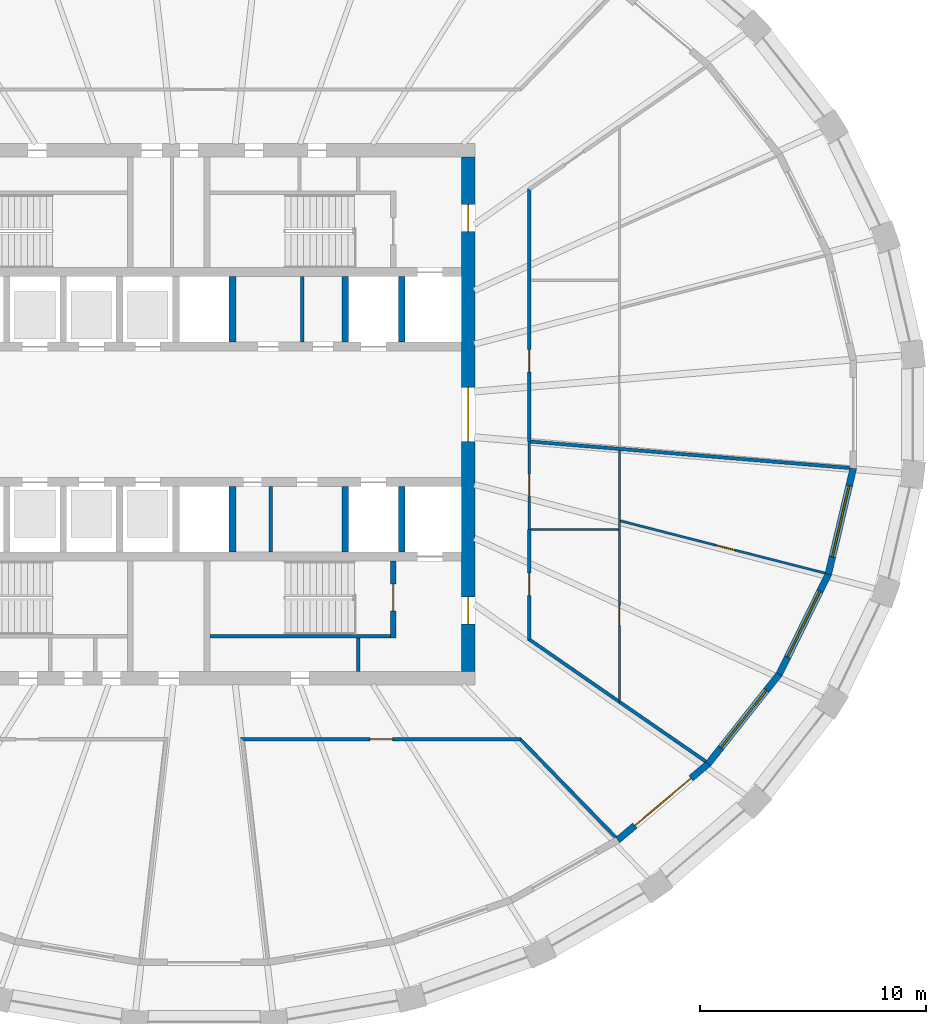
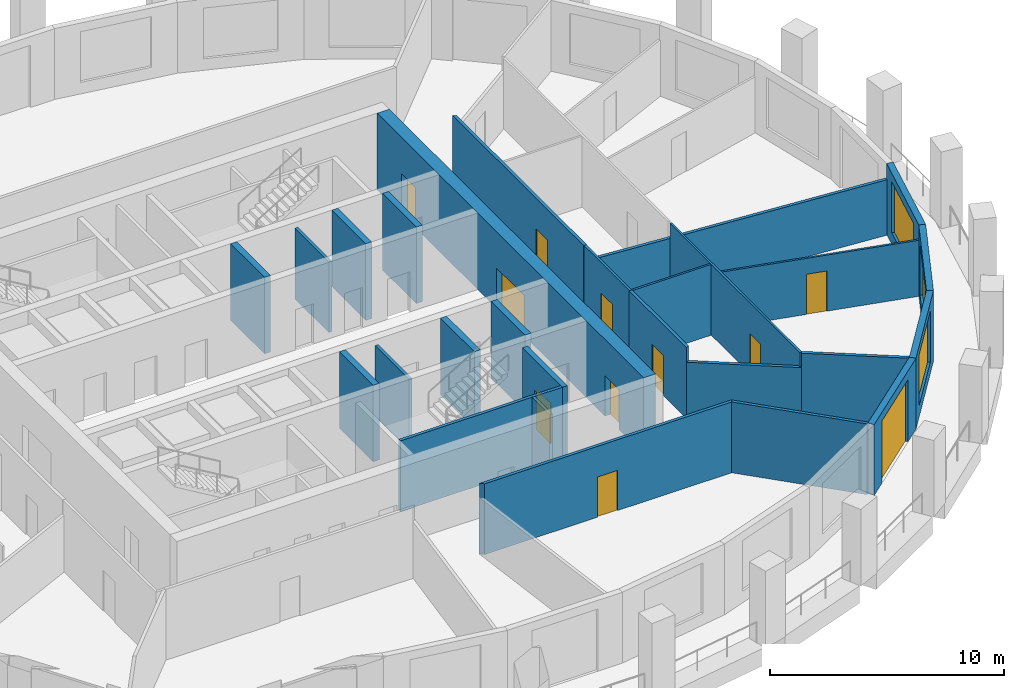
# One storey, part 5 of 11: 27 walls, 11 doors, 3 windows, 14 openings.
"""IFC4 building model written with IfcOpenShell, lengths in metres."""

import ifcopenshell
import ifcopenshell.guid

model = None  # the IFC model being written
_history = None  # IfcOwnerHistory: only IFC2X3 demands one
_inside = {}  # id of a spatial element -> (the spatial element, [elements in it])
_under = {}  # id of a project, library or spatial element -> (it, [spatial elements below it])
_declared = {}  # id of a project -> (the project, [libraries it declares])
_typed = {}  # id of a type object -> (the type object, [elements of that type])
_made_of = {}  # id of a material, layer set ... -> (it, [elements and type objects made of it])


def new_model(schema):
    """Start an empty IFC model of exactly this schema.

    Asked for "IFC4X3", IfcOpenShell would pick the latest addendum, in which some entities
    have other attributes; the version numbers below select the first issue.
    IFC2X3 requires an IfcOwnerHistory on every rooted entity: one is made here for all.
    """
    global model, _history
    if schema == "IFC4X3":
        model = ifcopenshell.file(schema_version=(4, 3, 0, 0))
    else:
        model = ifcopenshell.file(schema=schema)
    _inside.clear()
    _under.clear()
    _declared.clear()
    _typed.clear()
    _made_of.clear()
    _history = None
    if model.schema == "IFC2X3":
        org = make("IfcOrganization", Name="unknown")
        user = make(
            "IfcPersonAndOrganization",
            ThePerson=make("IfcPerson", FamilyName="unknown"),
            TheOrganization=org,
        )
        app = make(
            "IfcApplication",
            ApplicationDeveloper=org,
            Version="unknown",
            ApplicationFullName="unknown",
            ApplicationIdentifier="unknown",
        )
        _history = make(
            "IfcOwnerHistory",
            OwningUser=user,
            OwningApplication=app,
            ChangeAction="ADDED",
            CreationDate=0,
        )
    return model


def make(cls, **values):
    """One entity of the class cls with the attributes given. An attribute that is None is left unset."""
    return model.create_entity(
        cls, **{name: value for name, value in values.items() if value is not None}
    )


def rooted(cls, **values):
    """An entity with a GlobalId (a new one), such as an element, a storey or a relation."""
    return make(cls, GlobalId=ifcopenshell.guid.new(), OwnerHistory=_history, **values)


def si_unit(unit_type, name, prefix=None):
    """IfcSIUnit, for example si_unit("LENGTHUNIT", "METRE", prefix="MILLI")."""
    return make("IfcSIUnit", UnitType=unit_type, Prefix=prefix, Name=name)


def assignment(units):
    """IfcUnitAssignment: the units of a project."""
    return None if units is None else make("IfcUnitAssignment", Units=units)


def point(xyz):
    """IfcCartesianPoint."""
    return None if xyz is None else make("IfcCartesianPoint", Coordinates=xyz)


def direction(xyz):
    """IfcDirection."""
    return None if xyz is None else make("IfcDirection", DirectionRatios=xyz)


def frame(location, z_axis=None, x_axis=None):
    """IfcAxis2Placement3D, a coordinate frame: its origin and axes. An axis left out is left unset."""
    return make(
        "IfcAxis2Placement3D",
        Location=point(location),
        Axis=direction(z_axis),
        RefDirection=direction(x_axis),
    )


def frame_2d(location, x_axis=None):
    """IfcAxis2Placement2D, a coordinate frame in the plane: its origin and x axis."""
    return make(
        "IfcAxis2Placement2D", Location=point(location), RefDirection=direction(x_axis)
    )


def origin():
    """The frame at (0, 0, 0) with its axes left unset."""
    return frame((0.0, 0.0, 0.0))


def place(relative_to, where):
    """IfcLocalPlacement: puts the frame where relative to a parent placement (None: the world)."""
    return make(
        "IfcLocalPlacement", PlacementRelTo=relative_to, RelativePlacement=where
    )


def context(
    kind, dimensions, precision=None, world=None, true_north=None, identifier=None
):
    """IfcGeometricRepresentationContext, for example the 3D "Model" context."""
    return make(
        "IfcGeometricRepresentationContext",
        ContextIdentifier=identifier,
        ContextType=kind,
        CoordinateSpaceDimension=dimensions,
        Precision=precision,
        WorldCoordinateSystem=world,
        TrueNorth=true_north,
    )


def subcontext(parent, identifier, kind, view, scale=None):
    """IfcGeometricRepresentationSubContext, for example "Body" below "Model"."""
    return make(
        "IfcGeometricRepresentationSubContext",
        ContextIdentifier=identifier,
        ContextType=kind,
        ParentContext=parent,
        TargetScale=scale,
        TargetView=view,
    )


def project(units=None, contexts=None):
    """IfcProject with its units and contexts."""
    return rooted(
        "IfcProject",
        Name="project",
        RepresentationContexts=contexts,
        UnitsInContext=assignment(units),
    )


def spatial(cls, under=None, at=None, **own):
    """A site, building, storey or space (cls), placed at a placement, below another one or the project."""
    s = rooted(cls, ObjectPlacement=at, **own)
    if under is not None:
        _under.setdefault(under.id(), (under, []))[1].append(s)
    return s


def polyline(points):
    """IfcPolyline through the points."""
    return make("IfcPolyline", Points=[point(p) for p in points])


def profile(cls, at=None, kind="AREA", **sizes):
    """A parametric profile (cls). Its sizes go by their IFC names, for example OverallWidth=200.0."""
    return make(cls, ProfileType=kind, Position=at, **sizes)


def rectangle(**sizes):
    """IfcRectangleProfileDef."""
    return profile("IfcRectangleProfileDef", **sizes)


def outline(outer, holes=None, kind="AREA"):
    """IfcArbitraryClosedProfileDef: a profile drawn as a closed curve; with holes, ...WithVoids."""
    if holes is None:
        return make("IfcArbitraryClosedProfileDef", ProfileType=kind, OuterCurve=outer)
    return make(
        "IfcArbitraryProfileDefWithVoids",
        ProfileType=kind,
        OuterCurve=outer,
        InnerCurves=holes,
    )


def extrude(swept, where, along, depth):
    """IfcExtrudedAreaSolid: the profile swept, set in the frame where, extruded along a direction by depth."""
    return make(
        "IfcExtrudedAreaSolid",
        SweptArea=swept,
        Position=where,
        ExtrudedDirection=direction(along),
        Depth=depth,
    )


def shape(context_of_items, identifier, shape_type, items):
    """IfcShapeRepresentation: the items that make up one representation, for example the "Body"."""
    return make(
        "IfcShapeRepresentation",
        ContextOfItems=context_of_items,
        RepresentationIdentifier=identifier,
        RepresentationType=shape_type,
        Items=items,
    )


def material(Name=None, Category=None):
    """IfcMaterial."""
    return make("IfcMaterial", Name=Name, Category=Category)


def layer(
    of_material, thickness, ventilated=None, Name=None, Category=None, Priority=None
):
    """IfcMaterialLayer: one layer of a wall or slab, of a material (None: an air gap)."""
    return make(
        "IfcMaterialLayer",
        Material=of_material,
        LayerThickness=thickness,
        IsVentilated=ventilated,
        Name=Name,
        Category=Category,
        Priority=Priority,
    )


def layer_set(layers, Name=None):
    """IfcMaterialLayerSet."""
    return make("IfcMaterialLayerSet", MaterialLayers=layers, LayerSetName=Name)


def made_of(thing, what):
    """Note that an element or type object is made of a material, layer set ...; save() writes the relation."""
    if what is not None:
        _made_of.setdefault(what.id(), (what, []))[1].append(thing)
    return thing


def type_object(cls, material=None, **own):
    """A type object (cls), such as IfcWallType, which elements share."""
    return made_of(rooted(cls, **own), material)


def element(
    cls,
    number,
    at=None,
    inside=None,
    cuts=None,
    type_object=None,
    material=None,
    context=None,
    identifier="Body",
    shape_type=None,
    held_by="IfcProductDefinitionShape",
    body=None,
    shapes=None,
    **own,
):
    """One element of the class cls, such as IfcWall. Its Tag is "e" and its number.

    at: its placement. inside: the storey or other place that contains it. cuts: it is an
    opening in that element (IfcRelVoidsElement). A single representation is given by context,
    identifier, shape_type and body (its items); several are given by shapes. held_by: the class
    of the entity that holds the representations. save() writes the other relations.
    """
    e = rooted(cls, Tag="e%d" % number, ObjectPlacement=at, **own)
    if body is not None:
        shapes = [shape(context, identifier, shape_type, body)]
    if shapes is not None:
        e.Representation = make(held_by, Representations=shapes)
    if inside is not None:
        _inside.setdefault(inside.id(), (inside, []))[1].append(e)
    if cuts is not None:
        rooted(
            "IfcRelVoidsElement", RelatingBuildingElement=cuts, RelatedOpeningElement=e
        )
    if type_object is not None:
        _typed.setdefault(type_object.id(), (type_object, []))[1].append(e)
    return made_of(e, material)


def fill(opening, filler):
    """IfcRelFillsElement: the door or window that sits in an opening."""
    return rooted(
        "IfcRelFillsElement",
        RelatingOpeningElement=opening,
        RelatedBuildingElement=filler,
    )


def aggregate(whole, parts):
    """IfcRelAggregates: a whole, such as a stair, and the parts it consists of."""
    return rooted("IfcRelAggregates", RelatingObject=whole, RelatedObjects=parts)


def save(model, path):
    """Write the relations noted so far, then the file.

    IfcRelAggregates (storeys below a building ...), IfcRelContainedInSpatialStructure (elements
    in a storey), IfcRelDefinesByType, IfcRelAssociatesMaterial and IfcRelDeclares: one each for
    every whole, place, type object, material and project.
    """
    for whole, parts in _under.values():
        aggregate(whole, parts)
    for where, things in _inside.values():
        rooted(
            "IfcRelContainedInSpatialStructure",
            RelatedElements=things,
            RelatingStructure=where,
        )
    for kind, things in _typed.values():
        rooted("IfcRelDefinesByType", RelatedObjects=things, RelatingType=kind)
    for what, things in _made_of.values():
        rooted("IfcRelAssociatesMaterial", RelatedObjects=things, RelatingMaterial=what)
    for by, libraries in _declared.values():
        rooted("IfcRelDeclares", RelatingContext=by, RelatedDefinitions=libraries)
    model.write(path)


model = new_model("IFC4")

# Units and contexts
model_context = context("Model", 3, precision=1e-05, world=origin(), true_north=direction((0.0, 1.0)))
body_context = subcontext(model_context, "Body", "Model", "MODEL_VIEW")
ifc_project = project(units=[si_unit("LENGTHUNIT", "METRE"), si_unit("AREAUNIT", "SQUARE_METRE"), si_unit("VOLUMEUNIT", "CUBIC_METRE"), si_unit("PLANEANGLEUNIT", "RADIAN"), si_unit("MASSUNIT", "GRAM", prefix="KILO")], contexts=[model_context])

# Site, building, storey
site_placement = place(None, origin())
site = spatial("IfcSite", under=ifc_project, at=site_placement, CompositionType="ELEMENT")
building_placement = place(site_placement, origin())
building = spatial("IfcBuilding", under=site, at=building_placement, Name="Halqa Exchange Tower", CompositionType="ELEMENT")
storey_placement = place(building_placement, frame((0.0, 0.0, 230.89990234375)))
storey = spatial("IfcBuildingStorey", under=building, at=storey_placement, Name="L53", CompositionType="ELEMENT", Elevation=230.89990234375)

# Wall, opening, door
ifc_material_1 = material(Name="Fire-rated gypsum board")
ifc_layer_1 = layer(ifc_material_1, 0.14990234375)
ifc_layer_set_1 = layer_set([ifc_layer_1], Name="Fire-rated gypsum board")
wall_type_1 = type_object("IfcWallType", Name="Fire partition EI 60 150", PredefinedType="PARTITIONING", material=ifc_layer_set_1)
wall_1_placement = place(storey_placement, frame((14.041748046875, -14.39990234375, 0.0), z_axis=(0.0, 0.0, 1.0), x_axis=(-1.0, 0.0, 0.0)))
wall_1 = element("IfcWall", 1, at=wall_1_placement, inside=storey, type_object=wall_type_1, Name="L53-PWL-014", PredefinedType="PARTITIONING", context=body_context, shape_type="SweptSolid", body=[
    extrude(outline(polyline([(12.446044921875, -0.074951171875), (12.446044921875, -0.074951171875), (12.277587890625, 0.074951171875), (10.53271484375, 0.074951171875), (8.787841796875, 0.074951171875), (7.04296875, 0.074951171875), (5.298095703125, 0.074951171875), (3.55322265625, 0.074951171875), (1.808349609375, 0.074951171875), (0.063232421875, 0.074951171875), (0.0, -0.074951171875), (1.778076171875, -0.074951171875), (3.55615234375, -0.074951171875), (5.333984375, -0.074951171875), (7.112060546875, -0.074951171875), (8.89013671875, -0.074951171875), (10.66796875, -0.074951171875), (12.446044921875, -0.074951171875)])), origin(), (0.0, 0.0, 1.0), 3.7001953125),
])
opening_1_placement = place(wall_1_placement, frame((5.69677734375, 0.0, 0.0)))
opening_1 = element("IfcOpeningElement", 2, at=opening_1_placement, cuts=wall_1, Name="Opening 16-06", PredefinedType="OPENING", context=body_context, shape_type="SweptSolid", body=[
    extrude(rectangle(XDim=1.0, YDim=2.10009765625, at=frame_2d((0.5, 1.050048828125))), frame((0.0, 0.0869140625, 0.0), z_axis=(0.0, -1.0, 0.0), x_axis=(1.0, 0.0, 0.0)), (0.0, 0.0, 1.0), 0.173828125),
])
ifc_material_2 = material(Name="Steel fire door leaf", Category="steel")
door_type_1 = type_object("IfcDoorType", Name="Fire door FD30S 1000 x 2100", OperationType="SINGLE_SWING_LEFT", PredefinedType="DOOR", material=ifc_material_2)
door_1_placement = place(opening_1_placement, origin())
door_1 = element("IfcDoor", 3, at=door_1_placement, inside=storey, type_object=door_type_1, Name="L53-IDR-006", OperationType="SINGLE_SWING_LEFT", OverallHeight=2.10009765625, OverallWidth=1.0, PredefinedType="DOOR", context=body_context, shape_type="SweptSolid", body=[
    extrude(rectangle(XDim=1.0, YDim=2.10009765625, at=frame_2d((0.5, 1.050048828125))), frame((0.0, 0.02490234375, 0.0), z_axis=(0.0, -1.0, 0.0), x_axis=(1.0, 0.0, 0.0)), (0.0, 0.0, 1.0), 0.050048828125),
])
fill(opening_1, door_1)

# Wall
wall_2_placement = place(storey_placement, frame((14.36767578125, -9.947509765625, 0.0), z_axis=(0.0, 0.0, 1.0), x_axis=(0.822094305235, -0.569351344339, 0.0)))
element("IfcWall", 4, at=wall_2_placement, inside=storey, type_object=wall_type_1, Name="L53-PWL-016", PredefinedType="PARTITIONING", context=body_context, shape_type="SweptSolid", body=[
    extrude(outline(polyline([(4.93896484375, -0.074951171875), (4.93896484375, 0.035888671875), (4.858154296875, -0.02001953125), (4.792236328125, 0.074951171875), (3.220947265625, 0.074951171875), (1.64990234375, 0.074951171875), (0.07861328125, 0.074951171875), (0.039306640625, 0.0), (0.000244140625, -0.074951171875), (1.646484375, -0.074951171875), (3.292724609375, -0.074951171875), (4.93896484375, -0.074951171875)])), origin(), (0.0, 0.0, 1.0), 2.947021484375),
])

# Wall, opening, door
wall_3_placement = place(storey_placement, frame((14.39990234375, -5.10009765625, 0.0), z_axis=(0.0, 0.0, 1.0), x_axis=(0.0, -1.0, 0.0)))
wall_3 = element("IfcWall", 5, at=wall_3_placement, inside=storey, type_object=wall_type_1, Name="L53-PWL-017", PredefinedType="PARTITIONING", context=body_context, shape_type="SweptSolid", body=[
    extrude(outline(polyline([(4.9091796875, -0.074951171875), (4.9091796875, -0.074951171875), (4.830810546875, 0.074951171875), (3.220458984375, 0.074951171875), (1.6103515625, 0.074951171875), (0.0, 0.074951171875), (0.0, -0.074951171875), (1.636474609375, -0.074951171875), (3.272705078125, -0.074951171875), (4.9091796875, -0.074951171875)])), origin(), (0.0, 0.0, 1.0), 3.7001953125),
])
opening_2_placement = place(wall_3_placement, frame((1.93505859375, 0.0, 0.0)))
opening_2 = element("IfcOpeningElement", 6, at=opening_2_placement, cuts=wall_3, Name="Opening 16-08", PredefinedType="OPENING", context=body_context, shape_type="SweptSolid", body=[
    extrude(rectangle(XDim=1.0, YDim=2.10009765625, at=frame_2d((0.5, 1.050048828125))), frame((0.0, 0.0869140625, 0.0), z_axis=(0.0, -1.0, 0.0), x_axis=(1.0, 0.0, 0.0)), (0.0, 0.0, 1.0), 0.173828125),
])
door_2_placement = place(opening_2_placement, origin())
door_2 = element("IfcDoor", 7, at=door_2_placement, inside=storey, type_object=door_type_1, Name="L53-IDR-008", OperationType="SINGLE_SWING_RIGHT", OverallHeight=2.10009765625, OverallWidth=1.0, PredefinedType="DOOR", context=body_context, shape_type="SweptSolid", body=[
    extrude(rectangle(XDim=1.0, YDim=2.10009765625, at=frame_2d((0.5, 1.050048828125))), frame((0.0, 0.02490234375, 0.0), z_axis=(0.0, -1.0, 0.0), x_axis=(1.0, 0.0, 0.0)), (0.0, 0.0, 1.0), 0.050048828125),
])
fill(opening_2, door_2)

wall_4_placement = place(storey_placement, frame((14.39990234375, -1.199951171875, 0.0), z_axis=(0.0, 0.0, 1.0), x_axis=(0.0, 1.0, 0.0)))
wall_4 = element("IfcWall", 8, at=wall_4_placement, inside=storey, type_object=wall_type_1, Name="L53-PWL-019", PredefinedType="PARTITIONING", context=body_context, shape_type="SweptSolid", body=[
    extrude(outline(polyline([(0.0, -0.074951171875), (1.855224609375, -0.074951171875), (3.710205078125, -0.074951171875), (5.5654296875, -0.074951171875), (7.42041015625, -0.074951171875), (9.275634765625, -0.074951171875), (11.130859375, -0.074951171875), (11.209228515625, 0.074951171875), (11.209228515625, 0.074951171875), (9.341064453125, 0.074951171875), (7.472900390625, 0.074951171875), (5.6044921875, 0.074951171875), (3.736328125, 0.074951171875), (1.8681640625, 0.074951171875), (0.0, 0.074951171875), (0.0, -0.074951171875)])), origin(), (0.0, 0.0, 1.0), 3.7001953125),
])
opening_3_placement = place(wall_4_placement, frame((3.070068359375, 0.0, 0.0)))
opening_3 = element("IfcOpeningElement", 9, at=opening_3_placement, cuts=wall_4, Name="Opening 16-10", PredefinedType="OPENING", context=body_context, shape_type="SweptSolid", body=[
    extrude(rectangle(XDim=1.0, YDim=2.10009765625, at=frame_2d((0.5, 1.050048828125))), frame((0.0, 0.0869140625, 0.0), z_axis=(0.0, -1.0, 0.0), x_axis=(1.0, 0.0, 0.0)), (0.0, 0.0, 1.0), 0.173828125),
])
door_3_placement = place(opening_3_placement, frame((1.0, 0.0, 0.0), z_axis=(0.0, 0.0, 1.0), x_axis=(-1.0, 0.0, 0.0)))
door_3 = element("IfcDoor", 10, at=door_3_placement, inside=storey, type_object=door_type_1, Name="L53-IDR-010", OperationType="SINGLE_SWING_RIGHT", OverallHeight=2.10009765625, OverallWidth=1.0, PredefinedType="DOOR", context=body_context, shape_type="SweptSolid", body=[
    extrude(rectangle(XDim=1.0, YDim=2.10009765625, at=frame_2d((0.5, 1.050048828125))), frame((0.0, 0.02490234375, 0.0), z_axis=(0.0, -1.0, 0.0), x_axis=(1.0, 0.0, 0.0)), (0.0, 0.0, 1.0), 0.050048828125),
])
fill(opening_3, door_3)

# Walls
wall_5_placement = place(storey_placement, frame((14.46630859375, -1.20556640625, 0.0), z_axis=(0.0, 0.0, 1.0), x_axis=(0.996598124583, -0.082414671491, 0.0)))
element("IfcWall", 11, at=wall_5_placement, inside=storey, type_object=wall_type_1, Name="L53-PWL-020", PredefinedType="PARTITIONING", context=body_context, shape_type="SweptSolid", body=[
    extrude(outline(polyline([(0.0, -0.074951171875), (1.333740234375, -0.074951171875), (2.667236328125, -0.074951171875), (4.0009765625, -0.074951171875), (4.00341796875, -0.07470703125), (4.00341796875, -0.074951171875), (5.700439453125, -0.074951171875), (7.397216796875, -0.074951171875), (9.09423828125, -0.074951171875), (10.791259765625, -0.074951171875), (12.488037109375, -0.074951171875), (14.18505859375, -0.074951171875), (14.189697265625, -0.0439453125), (14.189697265625, 0.074951171875), (12.47509765625, 0.074951171875), (10.7607421875, 0.074951171875), (9.046142578125, 0.074951171875), (7.33154296875, 0.074951171875), (5.6171875, 0.074951171875), (3.902587890625, 0.074951171875), (3.890869140625, 0.073974609375), (3.890869140625, 0.074951171875), (1.946533203125, 0.074951171875), (0.00244140625, 0.074951171875), (0.00830078125, 0.00634765625), (0.0, 0.005615234375), (0.0, -0.074951171875)])), origin(), (0.0, 0.0, 1.0), 2.900146484375),
])
wall_6_placement = place(storey_placement, frame((18.242431640625, -18.746826171875, 0.0), z_axis=(0.0, 0.0, 1.0), x_axis=(-0.697616683155, 0.716471188105, 0.0)))
element("IfcWall", 12, at=wall_6_placement, inside=storey, type_object=wall_type_1, Name="L53-PWL-022", PredefinedType="PARTITIONING", context=body_context, shape_type="SweptSolid", body=[
    extrude(outline(polyline([(0.0, -0.074951171875), (1.524658203125, -0.074951171875), (3.04931640625, -0.074951171875), (4.573974609375, -0.074951171875), (6.0986328125, -0.074951171875), (6.06689453125, 0.0), (6.035400390625, 0.074951171875), (4.532958984375, 0.074951171875), (3.030517578125, 0.074951171875), (1.52783203125, 0.074951171875), (0.025390625, 0.074951171875), (0.005126953125, -0.002197265625), (0.0, -0.07177734375), (0.0, -0.074951171875)])), origin(), (0.0, 0.0, 1.0), 3.7001953125),
])
wall_7_placement = place(storey_placement, frame((18.42822265625, -12.759521484375, 0.0), z_axis=(0.0, 0.0, 1.0), x_axis=(0.822939262801, -0.568129360041, 0.0)))
element("IfcWall", 13, at=wall_7_placement, inside=storey, type_object=wall_type_1, Name="L53-PWL-023", PredefinedType="PARTITIONING", context=body_context, shape_type="SweptSolid", body=[
    extrude(outline(polyline([(0.0, -0.074951171875), (1.531494140625, -0.074951171875), (3.062744140625, -0.074951171875), (4.59423828125, -0.074951171875), (4.61474609375, 0.00048828125), (4.619140625, 0.06787109375), (4.619140625, 0.074951171875), (3.079345703125, 0.074951171875), (1.539794921875, 0.074951171875), (0.0, 0.074951171875), (0.0, 0.038330078125), (0.001220703125, 0.03662109375), (0.0, 0.035888671875), (0.0, -0.074951171875)])), origin(), (0.0, 0.0, 1.0), 3.7001953125),
])

# Wall, opening, door
ifc_material_3 = material(Name="Fire-rated glazing", Category="glass")
ifc_layer_2 = layer(ifc_material_3, 0.1201171875)
ifc_layer_set_2 = layer_set([ifc_layer_2], Name="Fire-rated glazing")
wall_type_2 = type_object("IfcWallType", Name="Glazed fire partition EI 60 120", PredefinedType="PARTITIONING", material=ifc_layer_set_2)
wall_8_placement = place(storey_placement, frame((14.39990234375, -1.199951171875, 0.0), z_axis=(0.0, 0.0, 1.0), x_axis=(0.0, -1.0, 0.0)))
wall_8 = element("IfcWall", 14, at=wall_8_placement, inside=storey, type_object=wall_type_2, Name="L53-PWL-018", PredefinedType="PARTITIONING", context=body_context, shape_type="SweptSolid", body=[
    extrude(rectangle(XDim=3.900146484375, YDim=0.1201171875, at=frame_2d((1.9501953125, 0.0))), origin(), (0.0, 0.0, 1.0), 3.7001953125),
])
opening_4_placement = place(wall_8_placement, frame((1.449951171875, 0.0, 0.0)))
opening_4 = element("IfcOpeningElement", 15, at=opening_4_placement, cuts=wall_8, Name="Opening 16-07", PredefinedType="OPENING", context=body_context, shape_type="SweptSolid", body=[
    extrude(rectangle(XDim=1.0, YDim=2.10009765625, at=frame_2d((0.5, 1.050048828125))), frame((0.0, 0.072021484375, 0.0), z_axis=(0.0, -1.0, 0.0), x_axis=(1.0, 0.0, 0.0)), (0.0, 0.0, 1.0), 0.14404296875),
])
door_4_placement = place(opening_4_placement, origin())
door_4 = element("IfcDoor", 16, at=door_4_placement, inside=storey, type_object=door_type_1, Name="L53-IDR-007", OperationType="SINGLE_SWING_LEFT", OverallHeight=2.10009765625, OverallWidth=1.0, PredefinedType="DOOR", context=body_context, shape_type="SweptSolid", body=[
    extrude(rectangle(XDim=1.0, YDim=2.10009765625, at=frame_2d((0.5, 1.050048828125))), frame((0.0, 0.02490234375, 0.0), z_axis=(0.0, -1.0, 0.0), x_axis=(1.0, 0.0, 0.0)), (0.0, 0.0, 1.0), 0.050048828125),
])
fill(opening_4, door_4)

ifc_material_4 = material(Name="Gypsum board")
ifc_layer_3 = layer(ifc_material_4, 0.10009765625)
ifc_layer_set_3 = layer_set([ifc_layer_3], Name="Gypsum board")
wall_type_3 = type_object("IfcWallType", Name="Partition 100 gypsum", PredefinedType="PARTITIONING", material=ifc_layer_set_3)
wall_9_placement = place(storey_placement, frame((18.39990234375, -12.72998046875, 0.0), z_axis=(0.0, 0.0, 1.0), x_axis=(0.0, 1.0, 0.0)))
wall_9 = element("IfcWall", 17, at=wall_9_placement, inside=storey, type_object=wall_type_3, Name="L53-PWL-024", PredefinedType="PARTITIONING", context=body_context, shape_type="SweptSolid", body=[
    extrude(rectangle(XDim=11.119873046875, YDim=0.10009765625, at=frame_2d((5.56005859375, 0.0))), origin(), (0.0, 0.0, 1.0), 3.7001953125),
])
opening_5_placement = place(wall_9_placement, frame((3.364990234375, 0.0, 0.0)))
opening_5 = element("IfcOpeningElement", 18, at=opening_5_placement, cuts=wall_9, Name="Opening 16-12", PredefinedType="OPENING", context=body_context, shape_type="SweptSolid", body=[
    extrude(rectangle(XDim=0.89990234375, YDim=2.10009765625, at=frame_2d((0.449951171875, 1.050048828125))), frame((0.0, 0.06201171875, 0.0), z_axis=(0.0, -1.0, 0.0), x_axis=(1.0, 0.0, 0.0)), (0.0, 0.0, 1.0), 0.1240234375),
])
ifc_material_5 = material(Name="Timber door leaf", Category="wood")
door_type_2 = type_object("IfcDoorType", Name="Door 900 x 2100", OperationType="SINGLE_SWING_LEFT", PredefinedType="DOOR", material=ifc_material_5)
door_5_placement = place(opening_5_placement, origin())
door_5 = element("IfcDoor", 19, at=door_5_placement, inside=storey, type_object=door_type_2, Name="L53-IDR-012", OperationType="SINGLE_SWING_LEFT", OverallHeight=2.10009765625, OverallWidth=0.89990234375, PredefinedType="DOOR", context=body_context, shape_type="SweptSolid", body=[
    extrude(rectangle(XDim=0.89990234375, YDim=2.10009765625, at=frame_2d((0.449951171875, 1.050048828125))), frame((0.0, 0.02490234375, 0.0), z_axis=(0.0, -1.0, 0.0), x_axis=(1.0, 0.0, 0.0)), (0.0, 0.0, 1.0), 0.050048828125),
])
fill(opening_5, door_5)

# Wall
wall_10_placement = place(storey_placement, frame((18.35009765625, -5.10009765625, 0.0), z_axis=(0.0, 0.0, 1.0), x_axis=(-1.0, 0.0, 0.0)))
element("IfcWall", 20, at=wall_10_placement, inside=storey, type_object=wall_type_3, Name="L53-PWL-025", PredefinedType="PARTITIONING", context=body_context, shape_type="SweptSolid", body=[
    extrude(outline(polyline([(3.8896484375, -0.050048828125), (3.8896484375, 0.0), (3.875, 0.0), (3.875, 0.050048828125), (1.9375, 0.050048828125), (0.0, 0.050048828125), (0.0, -0.050048828125), (1.94482421875, -0.050048828125), (3.8896484375, -0.050048828125)])), origin(), (0.0, 0.0, 1.0), 3.7001953125),
])

# Wall, opening, door
wall_11_placement = place(storey_placement, frame((18.437744140625, -4.719482421875, 0.0), z_axis=(0.0, 0.0, 1.0), x_axis=(0.968975503795, -0.247156778269, 0.0)))
wall_11 = element("IfcWall", 21, at=wall_11_placement, inside=storey, type_object=wall_type_3, Name="L53-PWL-026", PredefinedType="PARTITIONING", context=body_context, shape_type="SweptSolid", body=[
    extrude(outline(polyline([(0.025390625, -0.050048828125), (1.89208984375, -0.050048828125), (3.758544921875, -0.050048828125), (5.625244140625, -0.050048828125), (7.49169921875, -0.050048828125), (9.3583984375, -0.050048828125), (9.3671875, -0.008056640625), (9.3671875, 0.050048828125), (7.49365234375, 0.050048828125), (5.620361328125, 0.050048828125), (3.746826171875, 0.050048828125), (1.87353515625, 0.050048828125), (0.0, 0.050048828125), (0.0, 0.049560546875), (0.025390625, -0.050048828125)])), origin(), (0.0, 0.0, 1.0), 2.93017578125),
])
opening_6_placement = place(wall_11_placement, frame((4.36669921875, 0.0, 0.0)))
opening_6 = element("IfcOpeningElement", 22, at=opening_6_placement, cuts=wall_11, Name="Opening 16-13", PredefinedType="OPENING", context=body_context, shape_type="SweptSolid", body=[
    extrude(rectangle(XDim=0.89990234375, YDim=2.10009765625, at=frame_2d((0.449951171875, 1.050048828125))), frame((0.0, 0.06201171875, 0.0), z_axis=(0.0, -1.0, 0.0), x_axis=(1.0, 0.0, 0.0)), (0.0, 0.0, 1.0), 0.1240234375),
])
door_6_placement = place(opening_6_placement, origin())
door_6 = element("IfcDoor", 23, at=door_6_placement, inside=storey, type_object=door_type_2, Name="L53-IDR-013", OperationType="SINGLE_SWING_LEFT", OverallHeight=2.10009765625, OverallWidth=0.89990234375, PredefinedType="DOOR", context=body_context, shape_type="SweptSolid", body=[
    extrude(rectangle(XDim=0.89990234375, YDim=2.10009765625, at=frame_2d((0.449951171875, 1.050048828125))), frame((0.0, 0.02490234375, 0.0), z_axis=(0.0, -1.0, 0.0), x_axis=(1.0, 0.0, 0.0)), (0.0, 0.0, 1.0), 0.050048828125),
])
fill(opening_6, door_6)

# Walls
ifc_layer_4 = layer(ifc_material_4, 0.14990234375)
ifc_layer_set_4 = layer_set([ifc_layer_4], Name="Gypsum board")
wall_type_4 = type_object("IfcWallType", Name="Penthouse riser wall 150 gypsum", PredefinedType="PARTITIONING", material=ifc_layer_set_4)
wall_12_placement = place(storey_placement, frame((6.824951171875, -11.39990234375, 0.0), z_axis=(0.0, 0.0, 1.0), x_axis=(0.0, 1.0, 0.0)))
element("IfcWall", 24, at=wall_12_placement, inside=storey, type_object=wall_type_4, Name="Firefighting lobby west wall S", PredefinedType="PARTITIONING", context=body_context, shape_type="SweptSolid", body=[
    extrude(rectangle(XDim=1.5, YDim=0.14990234375, at=frame_2d((0.75, 0.0))), origin(), (0.0, 0.0, 1.0), 3.7001953125),
])
for number, where, z_axis, x_axis, name in (
    (25, (4.35009765625, 3.199951171875, 0.0), (0.0, 0.0, 1.0), (0.0, 1.0, 0.0), "Freed bay partition NE4.350"),
    (26, (2.949951171875, -6.10009765625, 0.0), (0.0, 0.0, 1.0), (0.0, 1.0, 0.0), "Freed bay partition SE2.950"),
):
    element("IfcWall", number, at=place(storey_placement, frame(where, z_axis=z_axis, x_axis=x_axis)), inside=storey, type_object=wall_type_4, Name=name, PredefinedType="PARTITIONING", context=body_context, shape_type="SweptSolid", body=[
        extrude(rectangle(XDim=2.900146484375, YDim=0.14990234375, at=frame_2d((1.4501953125, 0.0))), origin(), (0.0, 0.0, 1.0), 3.7001953125),
    ])
ifc_material_6 = material(Name="Concrete C60/75", Category="concrete")
ifc_layer_5 = layer(ifc_material_6, 0.300048828125)
ifc_layer_set_5 = layer_set([ifc_layer_5], Name="Concrete C60/75")
wall_type_5 = type_object("IfcWallType", Name="RC core wall 300", PredefinedType="SHEAR", material=ifc_layer_set_5)
for number, where, z_axis, x_axis, name in (
    (27, (1.25, 3.199951171875, 0.0), (0.0, 0.0, 1.0), (0.0, 1.0, 0.0), "Shaft divider N5"),
    (28, (6.25, 3.199951171875, 0.0), (0.0, 0.0, 1.0), (0.0, 1.0, 0.0), "Shaft divider N7"),
    (29, (8.75, 3.199951171875, 0.0), (0.0, 0.0, 1.0), (0.0, 1.0, 0.0), "Shaft divider N8"),
    (30, (1.25, -6.10009765625, 0.0), (0.0, 0.0, 1.0), (0.0, 1.0, 0.0), "Shaft divider S5"),
    (31, (6.25, -6.10009765625, 0.0), (0.0, 0.0, 1.0), (0.0, 1.0, 0.0), "Shaft divider S7"),
    (32, (8.75, -6.10009765625, 0.0), (0.0, 0.0, 1.0), (0.0, 1.0, 0.0), "Shaft divider S8"),
):
    element("IfcWall", number, at=place(storey_placement, frame(where, z_axis=z_axis, x_axis=x_axis)), inside=storey, type_object=wall_type_5, Name=name, PredefinedType="SHEAR", context=body_context, shape_type="SweptSolid", body=[
        extrude(rectangle(XDim=2.900146484375, YDim=0.300048828125, at=frame_2d((1.4501953125, 0.0))), origin(), (0.0, 0.0, 1.0), 4.0),
    ])

# Wall, openings, doors
ifc_material_7 = material(Name="Concrete C70/85", Category="concrete")
ifc_layer_6 = layer(ifc_material_7, 0.60009765625)
ifc_layer_set_6 = layer_set([ifc_layer_6], Name="Concrete C70/85")
wall_type_6 = type_object("IfcWallType", Name="RC core wall 600 C70/85", PredefinedType="SHEAR", material=ifc_layer_set_6)
wall_13_placement = place(storey_placement, frame((11.699951171875, -11.39990234375, 0.0), z_axis=(0.0, 0.0, 1.0), x_axis=(0.0, 1.0, 0.0)))
wall_13 = element("IfcWall", 33, at=wall_13_placement, inside=storey, type_object=wall_type_6, Name="Core wall east", PredefinedType="SHEAR", context=body_context, shape_type="SweptSolid", body=[
    extrude(rectangle(XDim=22.7998046875, YDim=0.60009765625, at=frame_2d((11.39990234375, 0.0))), origin(), (0.0, 0.0, 1.0), 4.0),
])
opening_7_placement = place(wall_13_placement, frame((10.199951171875, 0.0, 0.0)))
opening_7 = element("IfcOpeningElement", 34, at=opening_7_placement, cuts=wall_13, Name="Opening T16-C14", PredefinedType="OPENING", context=body_context, shape_type="SweptSolid", body=[
    extrude(rectangle(XDim=2.39990234375, YDim=2.10009765625, at=frame_2d((1.199951171875, 1.050048828125))), frame((0.0, 0.31201171875, 0.0), z_axis=(0.0, -1.0, 0.0), x_axis=(1.0, 0.0, 0.0)), (0.0, 0.0, 1.0), 0.6240234375),
])
opening_8_placement = place(wall_13_placement, frame((19.5, 0.0, 0.0)))
opening_8 = element("IfcOpeningElement", 35, at=opening_8_placement, cuts=wall_13, Name="Opening T16-C19", PredefinedType="OPENING", context=body_context, shape_type="SweptSolid", body=[
    extrude(rectangle(XDim=1.199951171875, YDim=2.10009765625, at=frame_2d((0.60009765625, 1.050048828125))), frame((0.0, 0.31201171875, 0.0), z_axis=(0.0, -1.0, 0.0), x_axis=(1.0, 0.0, 0.0)), (0.0, 0.0, 1.0), 0.6240234375),
])
opening_9_placement = place(wall_13_placement, frame((2.10009765625, 0.0, 0.0)))
opening_9 = element("IfcOpeningElement", 36, at=opening_9_placement, cuts=wall_13, Name="Opening T16-C20", PredefinedType="OPENING", context=body_context, shape_type="SweptSolid", body=[
    extrude(rectangle(XDim=1.199951171875, YDim=2.10009765625, at=frame_2d((0.60009765625, 1.050048828125))), frame((0.0, 0.31201171875, 0.0), z_axis=(0.0, -1.0, 0.0), x_axis=(1.0, 0.0, 0.0)), (0.0, 0.0, 1.0), 0.6240234375),
])
door_type_3 = type_object("IfcDoorType", Name="Firefighting lobby door FD90 1200 x 2100", OperationType="SINGLE_SWING_RIGHT", PredefinedType="DOOR", material=ifc_material_2)
door_7_placement = place(opening_8_placement, origin())
door_7 = element("IfcDoor", 37, at=door_7_placement, inside=storey, type_object=door_type_3, Name="Firefighting lobby door", OperationType="SINGLE_SWING_RIGHT", OverallHeight=2.10009765625, OverallWidth=1.199951171875, PredefinedType="DOOR", context=body_context, shape_type="SweptSolid", body=[
    extrude(rectangle(XDim=1.199951171875, YDim=2.10009765625, at=frame_2d((0.60009765625, 1.050048828125))), frame((0.0, 0.02490234375, 0.0), z_axis=(0.0, -1.0, 0.0), x_axis=(1.0, 0.0, 0.0)), (0.0, 0.0, 1.0), 0.050048828125),
])
fill(opening_8, door_7)
door_8_placement = place(opening_9_placement, origin())
door_8 = element("IfcDoor", 38, at=door_8_placement, inside=storey, type_object=door_type_3, Name="Firefighting lobby door", OperationType="SINGLE_SWING_LEFT", OverallHeight=2.10009765625, OverallWidth=1.199951171875, PredefinedType="DOOR", context=body_context, shape_type="SweptSolid", body=[
    extrude(rectangle(XDim=1.199951171875, YDim=2.10009765625, at=frame_2d((0.60009765625, 1.050048828125))), frame((0.0, 0.02490234375, 0.0), z_axis=(0.0, -1.0, 0.0), x_axis=(1.0, 0.0, 0.0)), (0.0, 0.0, 1.0), 0.050048828125),
])
fill(opening_9, door_8)
door_type_4 = type_object("IfcDoorType", Name="Lobby double door FD60 2400 x 2100", OperationType="DOUBLE_DOOR_SINGLE_SWING", PredefinedType="DOOR", material=ifc_material_2)
door_9_placement = place(opening_7_placement, origin())
door_9 = element("IfcDoor", 39, at=door_9_placement, inside=storey, type_object=door_type_4, Name="Lift lobby double door", OperationType="DOUBLE_DOOR_SINGLE_SWING", OverallHeight=2.10009765625, OverallWidth=2.39990234375, PredefinedType="DOOR", context=body_context, shape_type="SweptSolid", body=[
    extrude(rectangle(XDim=2.39990234375, YDim=2.10009765625, at=frame_2d((1.199951171875, 1.050048828125))), frame((0.0, 0.02490234375, 0.0), z_axis=(0.0, -1.0, 0.0), x_axis=(1.0, 0.0, 0.0)), (0.0, 0.0, 1.0), 0.050048828125),
])
fill(opening_7, door_9)

# Wall
ifc_material_8 = material(Name="Concrete C30/37", Category="concrete")
ifc_layer_7 = layer(ifc_material_8, 0.14990234375)
ifc_layer_set_7 = layer_set([ifc_layer_7], Name="Concrete C30/37")
wall_type_7 = type_object("IfcWallType", Name="RC stair wall 150 C30/37", PredefinedType="SHEAR", material=ifc_layer_set_7)
wall_14_placement = place(storey_placement, frame((0.25, -9.824951171875, 0.0), z_axis=(0.0, 0.0, 1.0), x_axis=(1.0, 0.0, 0.0)))
element("IfcWall", 40, at=wall_14_placement, inside=storey, type_object=wall_type_7, Name="Stair ST2 north wall S", PredefinedType="SHEAR", context=body_context, shape_type="SweptSolid", body=[
    extrude(rectangle(XDim=8.0, YDim=0.14990234375, at=frame_2d((4.0, 0.0))), origin(), (0.0, 0.0, 1.0), 3.7001953125),
])

# Wall, opening, door
ifc_layer_8 = layer(ifc_material_8, 0.25)
ifc_layer_set_8 = layer_set([ifc_layer_8], Name="Concrete C30/37")
wall_type_8 = type_object("IfcWallType", Name="RC stair wall 250 C30/37", PredefinedType="SHEAR", material=ifc_layer_set_8)
wall_15_placement = place(storey_placement, frame((8.375, -9.89990234375, 0.0), z_axis=(0.0, 0.0, 1.0), x_axis=(0.0, 1.0, 0.0)))
wall_15 = element("IfcWall", 41, at=wall_15_placement, inside=storey, type_object=wall_type_8, Name="Stair ST2 east wall S", PredefinedType="SHEAR", context=body_context, shape_type="SweptSolid", body=[
    extrude(rectangle(XDim=3.39990234375, YDim=0.25, at=frame_2d((1.699951171875, 0.0))), origin(), (0.0, 0.0, 1.0), 3.7001953125),
])
opening_10_placement = place(wall_15_placement, frame((1.175048828125, 0.0, 0.0)))
opening_10 = element("IfcOpeningElement", 42, at=opening_10_placement, cuts=wall_15, Name="Opening T16-C18", PredefinedType="OPENING", context=body_context, shape_type="SweptSolid", body=[
    extrude(rectangle(XDim=1.199951171875, YDim=2.10009765625, at=frame_2d((0.60009765625, 1.050048828125))), frame((0.0, 0.136962890625, 0.0), z_axis=(0.0, -1.0, 0.0), x_axis=(1.0, 0.0, 0.0)), (0.0, 0.0, 1.0), 0.27392578125),
])
door_type_5 = type_object("IfcDoorType", Name="Stair door FD90 1200 x 2100", OperationType="SINGLE_SWING_LEFT", PredefinedType="DOOR", material=ifc_material_2)
door_10_placement = place(opening_10_placement, origin())
door_10 = element("IfcDoor", 43, at=door_10_placement, inside=storey, type_object=door_type_5, Name="Stair door ST4", OperationType="SINGLE_SWING_RIGHT", OverallHeight=2.10009765625, OverallWidth=1.199951171875, PredefinedType="DOOR", context=body_context, shape_type="SweptSolid", body=[
    extrude(rectangle(XDim=1.199951171875, YDim=2.10009765625, at=frame_2d((0.60009765625, 1.050048828125))), frame((0.0, 0.02490234375, 0.0), z_axis=(0.0, -1.0, 0.0), x_axis=(1.0, 0.0, 0.0)), (0.0, 0.0, 1.0), 0.050048828125),
])
fill(opening_10, door_10)

ifc_material_9 = material(Name="Limestone cladding", Category="masonry")
ifc_layer_9 = layer(ifc_material_9, 0.0400390625)
ifc_material_10 = material(Name="Ventilated cavity")
ifc_layer_10 = layer(ifc_material_10, 0.030029296875, ventilated=True)
ifc_material_11 = material(Name="Mineral wool insulation")
ifc_layer_11 = layer(ifc_material_11, 0.10009765625)
ifc_layer_12 = layer(ifc_material_8, 0.10009765625)
ifc_material_12 = material(Name="Internal plaster")
ifc_layer_13 = layer(ifc_material_12, 0.030029296875)
ifc_layer_set_9 = layer_set([ifc_layer_9, ifc_layer_10, ifc_layer_11, ifc_layer_12, ifc_layer_13], Name="Stone-faced insulated wall 300")
wall_type_9 = type_object("IfcWallType", Name="Stone-faced insulated wall 300", PredefinedType="STANDARD", material=ifc_layer_set_9)
wall_16_placement = place(storey_placement, frame((18.326416015625, -18.865478515625, 0.0), z_axis=(0.0, 0.0, 1.0), x_axis=(0.764475071601, 0.644653290459, 0.0)))
wall_16 = element("IfcWall", 44, at=wall_16_placement, inside=storey, type_object=wall_type_9, Name="Glass-line wall 28", PredefinedType="STANDARD", context=body_context, shape_type="SweptSolid", body=[
    extrude(outline(polyline([(-0.01416015625, -0.14990234375), (5.2578125, -0.14990234375), (5.2275390625, 0.14990234375), (0.01416015625, 0.14990234375), (-0.01416015625, -0.14990234375)])), origin(), (0.0, 0.0, 1.0), 3.7001953125),
])
opening_11_placement = place(wall_16_placement, frame((0.996337890625, 0.0, 0.0)))
opening_11 = element("IfcOpeningElement", 45, at=opening_11_placement, cuts=wall_16, Name="Opening LG-F3-07", PredefinedType="OPENING", context=body_context, shape_type="SweptSolid", body=[
    extrude(rectangle(XDim=3.25, YDim=3.25, at=frame_2d((1.625, 1.625))), frame((0.0, 0.162109375, 0.0), z_axis=(0.0, -1.0, 0.0), x_axis=(1.0, 0.0, 0.0)), (0.0, 0.0, 1.0), 0.323974609375),
])
ifc_material_13 = material(Name="Clear low-emissivity glass in aluminium frame", Category="aluminium")
door_type_6 = type_object("IfcDoorType", Name="Glazed sliding loggia door 3250 x 3250", OperationType="DOUBLE_DOOR_SLIDING", PredefinedType="DOOR", material=ifc_material_13)
door_11_placement = place(opening_11_placement, origin())
door_11 = element("IfcDoor", 46, at=door_11_placement, inside=storey, type_object=door_type_6, Name="Loggia door 7", OperationType="DOUBLE_DOOR_SLIDING", OverallHeight=3.25, OverallWidth=3.25, PredefinedType="DOOR", context=body_context, shape_type="SweptSolid", body=[
    extrude(rectangle(XDim=3.25, YDim=3.25, at=frame_2d((1.625, 1.625))), frame((0.0, 0.02490234375, 0.0), z_axis=(0.0, -1.0, 0.0), x_axis=(1.0, 0.0, 0.0)), (0.0, 0.0, 1.0), 0.050048828125),
])
fill(opening_11, door_11)

# Wall, opening, window
wall_17_placement = place(storey_placement, frame((22.334228515625, -15.48583984375, 0.0), z_axis=(0.0, 0.0, 1.0), x_axis=(0.621084984443, 0.783743224596, 0.0)))
wall_17 = element("IfcWall", 47, at=wall_17_placement, inside=storey, type_object=wall_type_9, Name="Glass-line wall 29", PredefinedType="STANDARD", context=body_context, shape_type="SweptSolid", body=[
    extrude(outline(polyline([(-0.01513671875, -0.14990234375), (5.08935546875, -0.14990234375), (5.05712890625, 0.14990234375), (0.01513671875, 0.14990234375), (-0.01513671875, -0.14990234375)])), origin(), (0.0, 0.0, 1.0), 3.7001953125),
])
opening_12_placement = place(wall_17_placement, frame((0.91162109375, 0.0, 0.60009765625)))
opening_12 = element("IfcOpeningElement", 48, at=opening_12_placement, cuts=wall_17, Name="Opening W-F3-29", PredefinedType="OPENING", context=body_context, shape_type="SweptSolid", body=[
    extrude(rectangle(XDim=3.25, YDim=2.64990234375, at=frame_2d((1.625, 1.324951171875))), frame((0.0, 0.162109375, 0.0), z_axis=(0.0, -1.0, 0.0), x_axis=(1.0, 0.0, 0.0)), (0.0, 0.0, 1.0), 0.323974609375),
])
window_type = type_object("IfcWindowType", Name="Fixed clear glazed window 3250 x 2650", PartitioningType="TRIPLE_PANEL_VERTICAL", PredefinedType="WINDOW", material=ifc_material_13)
window_1_placement = place(opening_12_placement, origin())
window_1 = element("IfcWindow", 49, at=window_1_placement, inside=storey, type_object=window_type, Name="Window 3", OverallHeight=2.64990234375, OverallWidth=3.25, PartitioningType="TRIPLE_PANEL_VERTICAL", PredefinedType="WINDOW", context=body_context, shape_type="SweptSolid", body=[
    extrude(rectangle(XDim=3.25, YDim=2.64990234375, at=frame_2d((1.625, 1.324951171875))), frame((0.0, 0.030029296875, 0.0), z_axis=(0.0, -1.0, 0.0), x_axis=(1.0, 0.0, 0.0)), (0.0, 0.0, 1.0), 0.06005859375),
])
fill(opening_12, window_1)

wall_18_placement = place(storey_placement, frame((25.485107421875, -11.509765625, 0.0), z_axis=(0.0, 0.0, 1.0), x_axis=(0.440857641837, 0.897577038272, 0.0)))
wall_18 = element("IfcWall", 50, at=wall_18_placement, inside=storey, type_object=wall_type_9, Name="Glass-line wall 30", PredefinedType="STANDARD", context=body_context, shape_type="SweptSolid", body=[
    extrude(outline(polyline([(-0.01611328125, -0.14990234375), (4.942138671875, -0.14990234375), (4.908447265625, 0.14990234375), (0.01611328125, 0.14990234375), (-0.01611328125, -0.14990234375)])), origin(), (0.0, 0.0, 1.0), 3.7001953125),
])
opening_13_placement = place(wall_18_placement, frame((0.837646484375, 0.0, 0.60009765625)))
opening_13 = element("IfcOpeningElement", 51, at=opening_13_placement, cuts=wall_18, Name="Opening W-F3-30", PredefinedType="OPENING", context=body_context, shape_type="SweptSolid", body=[
    extrude(rectangle(XDim=3.25, YDim=2.64990234375, at=frame_2d((1.625, 1.324951171875))), frame((0.0, 0.162109375, 0.0), z_axis=(0.0, -1.0, 0.0), x_axis=(1.0, 0.0, 0.0)), (0.0, 0.0, 1.0), 0.323974609375),
])
window_2_placement = place(opening_13_placement, origin())
window_2 = element("IfcWindow", 52, at=window_2_placement, inside=storey, type_object=window_type, Name="Window 3", OverallHeight=2.64990234375, OverallWidth=3.25, PartitioningType="TRIPLE_PANEL_VERTICAL", PredefinedType="WINDOW", context=body_context, shape_type="SweptSolid", body=[
    extrude(rectangle(XDim=3.25, YDim=2.64990234375, at=frame_2d((1.625, 1.324951171875))), frame((0.0, 0.030029296875, 0.0), z_axis=(0.0, -1.0, 0.0), x_axis=(1.0, 0.0, 0.0)), (0.0, 0.0, 1.0), 0.06005859375),
])
fill(opening_13, window_2)

wall_19_placement = place(storey_placement, frame((27.656494140625, -7.0888671875, 0.0), z_axis=(0.0, 0.0, 1.0), x_axis=(0.229617574796, 0.97328093033, 0.0)))
wall_19 = element("IfcWall", 53, at=wall_19_placement, inside=storey, type_object=wall_type_9, Name="Glass-line wall 31", PredefinedType="STANDARD", context=body_context, shape_type="SweptSolid", body=[
    extrude(outline(polyline([(-0.016845703125, -0.14990234375), (4.84130859375, -0.14990234375), (4.806640625, 0.14990234375), (0.016845703125, 0.14990234375), (-0.016845703125, -0.14990234375)])), origin(), (0.0, 0.0, 1.0), 3.7001953125),
])
opening_14_placement = place(wall_19_placement, frame((0.786865234375, 0.0, 0.60009765625)))
opening_14 = element("IfcOpeningElement", 54, at=opening_14_placement, cuts=wall_19, Name="Opening W-F3-31", PredefinedType="OPENING", context=body_context, shape_type="SweptSolid", body=[
    extrude(rectangle(XDim=3.25, YDim=2.64990234375, at=frame_2d((1.625, 1.324951171875))), frame((0.0, 0.162109375, 0.0), z_axis=(0.0, -1.0, 0.0), x_axis=(1.0, 0.0, 0.0)), (0.0, 0.0, 1.0), 0.323974609375),
])
window_3_placement = place(opening_14_placement, origin())
window_3 = element("IfcWindow", 55, at=window_3_placement, inside=storey, type_object=window_type, Name="Window 3", OverallHeight=2.64990234375, OverallWidth=3.25, PartitioningType="TRIPLE_PANEL_VERTICAL", PredefinedType="WINDOW", context=body_context, shape_type="SweptSolid", body=[
    extrude(rectangle(XDim=3.25, YDim=2.64990234375, at=frame_2d((1.625, 1.324951171875))), frame((0.0, 0.030029296875, 0.0), z_axis=(0.0, -1.0, 0.0), x_axis=(1.0, 0.0, 0.0)), (0.0, 0.0, 1.0), 0.06005859375),
])
fill(opening_14, window_3)

save(model, "model.ifc")
